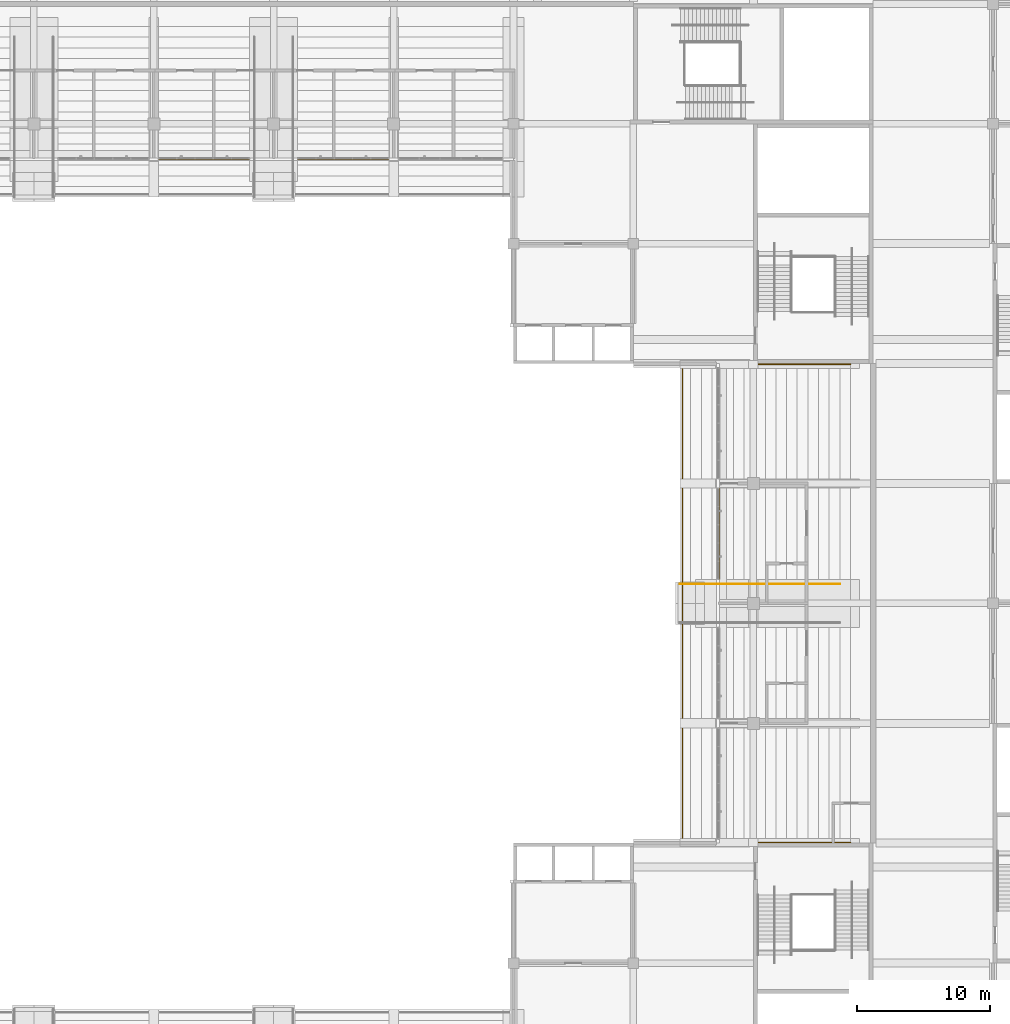
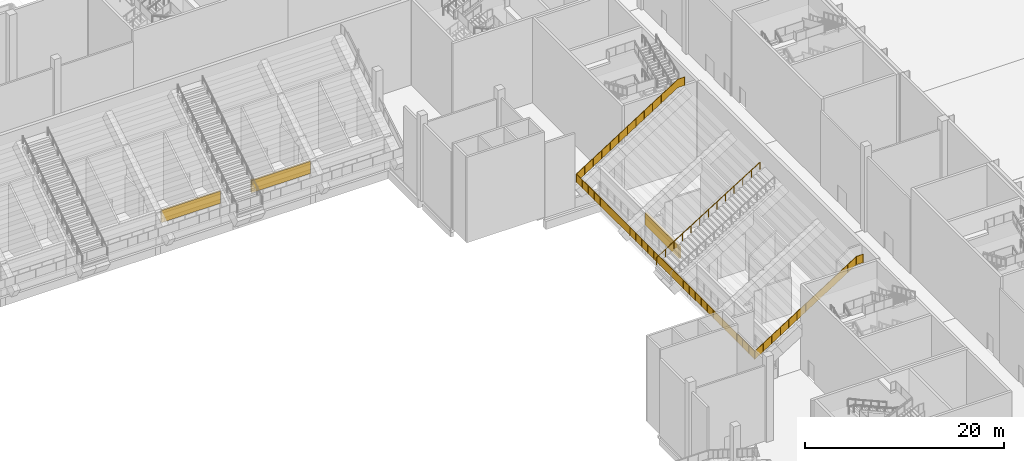
# One storey, part 163 of 182: 3 coverings, 2 railings.
"""IFC4 building model written with IfcOpenShell, lengths in metres."""

from ifc_helpers import new_model, si_unit, direction, frame, origin, origin_2d, place, context, subcontext, project, spatial, polyline, circle, outline, extrude, material, layer, layer_set, type_object, element, save


model = new_model("IFC4")

# Units and contexts
model_context = context("Model", 3, precision=1e-05, world=origin(), true_north=direction((0.0, 1.0)))
body_context = subcontext(model_context, "Body", "Model", "MODEL_VIEW")
ifc_project = project(units=[si_unit("LENGTHUNIT", "METRE"), si_unit("AREAUNIT", "SQUARE_METRE"), si_unit("VOLUMEUNIT", "CUBIC_METRE"), si_unit("PLANEANGLEUNIT", "RADIAN"), si_unit("MASSUNIT", "GRAM", prefix="KILO")], contexts=[model_context])

# Site, building, storey
site_placement = place(None, origin())
site = spatial("IfcSite", under=ifc_project, at=site_placement, CompositionType="ELEMENT")
building_placement = place(site_placement, origin())
building = spatial("IfcBuilding", under=site, at=building_placement, Name="Silverbay Arena", CompositionType="ELEMENT")
storey_placement = place(building_placement, frame((0.0, 0.0, 11.5)))
storey = spatial("IfcBuildingStorey", under=building, at=storey_placement, Name="L02", CompositionType="ELEMENT", Elevation=11.5)

# Railings
ifc_material_1 = material(Name="Stainless steel", Category="steel")
railing_type_1 = type_object("IfcRailingType", Name="Crowd barrier 1100", PredefinedType="GUARDRAIL", material=ifc_material_1)
railing_1_placement = place(storey_placement, frame((187.300048828125, 63.050048828125, 10.5)))
element("IfcRailing", 1, at=railing_1_placement, inside=storey, type_object=railing_type_1, Name="Crowd barrier East stand upper tier", PredefinedType="GUARDRAIL", context=body_context, shape_type="SweptSolid", body=[
    extrude(circle(Radius=0.02392578125, at=origin_2d()), frame((0.0, 0.0, 1.076171875), z_axis=(-1.0, 0.0, 0.0), x_axis=(0.0, -1.0, 0.0)), (0.0, 0.0, 1.0), 0.800048828125),
    extrude(outline(polyline([(-0.008056640625, 0.050048828125), (0.80810546875, 0.050048828125), (0.80810546875, 1.052978515625), (-0.008056640625, 1.052978515625), (-0.008056640625, 0.050048828125)])), frame((0.0, -0.0029296875, 0.0), z_axis=(0.0, 1.0, 0.0), x_axis=(-1.0, 0.0, 0.0)), (0.0, 0.0, 1.0), 0.006103515625),
    extrude(circle(Radius=0.02392578125, at=origin_2d()), frame((-0.800048828125, 0.0, 1.076171875), z_axis=(-0.843956866706, 0.0, -0.536411043081), x_axis=(0.0, -1.0, 0.0)), (0.0, 0.0, 1.0), 13.98193359375),
    extrude(outline(polyline([(-0.008056640625, 0.05517578125), (0.991455078125, -0.580078125), (0.991455078125, 0.4228515625), (-0.008056640625, 1.05810546875), (-0.008056640625, 0.05517578125)])), frame((-0.800048828125, -0.0029296875, 0.0), z_axis=(0.0, 1.0, 0.0), x_axis=(-1.0, 0.0, 0.0)), (0.0, 0.0, 1.0), 0.006103515625),
    extrude(outline(polyline([(-0.008056640625, -0.56982421875), (0.991455078125, -1.205078125), (0.991455078125, -0.2021484375), (-0.008056640625, 0.43310546875), (-0.008056640625, -0.56982421875)])), frame((-1.783447265625, -0.0029296875, 0.0), z_axis=(0.0, 1.0, 0.0), x_axis=(-1.0, 0.0, 0.0)), (0.0, 0.0, 1.0), 0.006103515625),
    extrude(outline(polyline([(-0.008056640625, -1.19482421875), (0.991455078125, -1.830078125), (0.991455078125, -0.8271484375), (-0.008056640625, -0.19189453125), (-0.008056640625, -1.19482421875)])), frame((-2.7666015625, -0.0029296875, 0.0), z_axis=(0.0, 1.0, 0.0), x_axis=(-1.0, 0.0, 0.0)), (0.0, 0.0, 1.0), 0.006103515625),
    extrude(outline(polyline([(-0.008056640625, -1.81982421875), (0.991455078125, -2.455078125), (0.991455078125, -1.4521484375), (-0.008056640625, -0.81689453125), (-0.008056640625, -1.81982421875)])), frame((-3.75, -0.0029296875, 0.0), z_axis=(0.0, 1.0, 0.0), x_axis=(-1.0, 0.0, 0.0)), (0.0, 0.0, 1.0), 0.006103515625),
    extrude(outline(polyline([(-0.008056640625, -2.44482421875), (0.991455078125, -3.080078125), (0.991455078125, -2.0771484375), (-0.008056640625, -1.44189453125), (-0.008056640625, -2.44482421875)])), frame((-4.7333984375, -0.0029296875, 0.0), z_axis=(0.0, 1.0, 0.0), x_axis=(-1.0, 0.0, 0.0)), (0.0, 0.0, 1.0), 0.006103515625),
    extrude(outline(polyline([(-0.008056640625, -3.06982421875), (0.991455078125, -3.705078125), (0.991455078125, -2.7021484375), (-0.008056640625, -2.06689453125), (-0.008056640625, -3.06982421875)])), frame((-5.716796875, -0.0029296875, 0.0), z_axis=(0.0, 1.0, 0.0), x_axis=(-1.0, 0.0, 0.0)), (0.0, 0.0, 1.0), 0.006103515625),
    extrude(outline(polyline([(-0.008056640625, -3.69482421875), (0.991455078125, -4.330078125), (0.991455078125, -3.3271484375), (-0.008056640625, -2.69189453125), (-0.008056640625, -3.69482421875)])), frame((-6.7001953125, -0.0029296875, 0.0), z_axis=(0.0, 1.0, 0.0), x_axis=(-1.0, 0.0, 0.0)), (0.0, 0.0, 1.0), 0.006103515625),
    extrude(outline(polyline([(-0.008056640625, -4.31982421875), (0.991455078125, -4.955078125), (0.991455078125, -3.9521484375), (-0.008056640625, -3.31689453125), (-0.008056640625, -4.31982421875)])), frame((-7.683349609375, -0.0029296875, 0.0), z_axis=(0.0, 1.0, 0.0), x_axis=(-1.0, 0.0, 0.0)), (0.0, 0.0, 1.0), 0.006103515625),
    extrude(outline(polyline([(-0.008056640625, -4.94482421875), (0.991455078125, -5.580078125), (0.991455078125, -4.5771484375), (-0.008056640625, -3.94189453125), (-0.008056640625, -4.94482421875)])), frame((-8.666748046875, -0.0029296875, 0.0), z_axis=(0.0, 1.0, 0.0), x_axis=(-1.0, 0.0, 0.0)), (0.0, 0.0, 1.0), 0.006103515625),
    extrude(outline(polyline([(-0.008056640625, -5.56982421875), (0.991455078125, -6.205078125), (0.991455078125, -5.2021484375), (-0.008056640625, -4.56689453125), (-0.008056640625, -5.56982421875)])), frame((-9.650146484375, -0.0029296875, 0.0), z_axis=(0.0, 1.0, 0.0), x_axis=(-1.0, 0.0, 0.0)), (0.0, 0.0, 1.0), 0.006103515625),
    extrude(outline(polyline([(-0.008056640625, -6.19482421875), (0.991455078125, -6.830078125), (0.991455078125, -5.8271484375), (-0.008056640625, -5.19189453125), (-0.008056640625, -6.19482421875)])), frame((-10.63330078125, -0.0029296875, 0.0), z_axis=(0.0, 1.0, 0.0), x_axis=(-1.0, 0.0, 0.0)), (0.0, 0.0, 1.0), 0.006103515625),
    extrude(outline(polyline([(-0.008056640625, -6.81982421875), (0.991455078125, -7.455078125), (0.991455078125, -6.4521484375), (-0.008056640625, -5.81689453125), (-0.008056640625, -6.81982421875)])), frame((-11.61669921875, -0.0029296875, 0.0), z_axis=(0.0, 1.0, 0.0), x_axis=(-1.0, 0.0, 0.0)), (0.0, 0.0, 1.0), 0.006103515625),
    extrude(circle(Radius=0.02392578125, at=origin_2d()), frame((-12.60009765625, 0.0, -6.423828125), z_axis=(0.0, 1.0, 0.0), x_axis=(-1.0, 0.0, 0.0)), (0.0, 0.0, 1.0), 35.89990234375),
    extrude(outline(polyline([(-0.008056640625, -7.449951171875), (1.20458984375, -7.449951171875), (1.20458984375, -6.447021484375), (-0.008056640625, -6.447021484375), (-0.008056640625, -7.449951171875)])), frame((-12.60302734375, 0.0, 0.0), z_axis=(1.0, 0.0, 0.0), x_axis=(0.0, 1.0, 0.0)), (0.0, 0.0, 1.0), 0.006103515625),
    extrude(outline(polyline([(-0.008056640625, -7.449951171875), (1.20458984375, -7.449951171875), (1.20458984375, -6.447021484375), (-0.008056640625, -6.447021484375), (-0.008056640625, -7.449951171875)])), frame((-12.60302734375, 1.19677734375, 0.0), z_axis=(1.0, 0.0, 0.0), x_axis=(0.0, 1.0, 0.0)), (0.0, 0.0, 1.0), 0.006103515625),
    extrude(outline(polyline([(-0.008056640625, -7.449951171875), (1.20458984375, -7.449951171875), (1.20458984375, -6.447021484375), (-0.008056640625, -6.447021484375), (-0.008056640625, -7.449951171875)])), frame((-12.60302734375, 2.393310546875, 0.0), z_axis=(1.0, 0.0, 0.0), x_axis=(0.0, 1.0, 0.0)), (0.0, 0.0, 1.0), 0.006103515625),
    extrude(outline(polyline([(-0.008056640625, -7.449951171875), (1.20458984375, -7.449951171875), (1.20458984375, -6.447021484375), (-0.008056640625, -6.447021484375), (-0.008056640625, -7.449951171875)])), frame((-12.60302734375, 3.590087890625, 0.0), z_axis=(1.0, 0.0, 0.0), x_axis=(0.0, 1.0, 0.0)), (0.0, 0.0, 1.0), 0.006103515625),
    extrude(outline(polyline([(-0.008056640625, -7.449951171875), (1.20458984375, -7.449951171875), (1.20458984375, -6.447021484375), (-0.008056640625, -6.447021484375), (-0.008056640625, -7.449951171875)])), frame((-12.60302734375, 4.78662109375, 0.0), z_axis=(1.0, 0.0, 0.0), x_axis=(0.0, 1.0, 0.0)), (0.0, 0.0, 1.0), 0.006103515625),
    extrude(outline(polyline([(-0.008056640625, -7.449951171875), (1.20458984375, -7.449951171875), (1.20458984375, -6.447021484375), (-0.008056640625, -6.447021484375), (-0.008056640625, -7.449951171875)])), frame((-12.60302734375, 5.9833984375, 0.0), z_axis=(1.0, 0.0, 0.0), x_axis=(0.0, 1.0, 0.0)), (0.0, 0.0, 1.0), 0.006103515625),
    extrude(outline(polyline([(-0.008056640625, -7.449951171875), (1.20458984375, -7.449951171875), (1.20458984375, -6.447021484375), (-0.008056640625, -6.447021484375), (-0.008056640625, -7.449951171875)])), frame((-12.60302734375, 7.179931640625, 0.0), z_axis=(1.0, 0.0, 0.0), x_axis=(0.0, 1.0, 0.0)), (0.0, 0.0, 1.0), 0.006103515625),
    extrude(outline(polyline([(-0.008056640625, -7.449951171875), (1.20458984375, -7.449951171875), (1.20458984375, -6.447021484375), (-0.008056640625, -6.447021484375), (-0.008056640625, -7.449951171875)])), frame((-12.60302734375, 8.376708984375, 0.0), z_axis=(1.0, 0.0, 0.0), x_axis=(0.0, 1.0, 0.0)), (0.0, 0.0, 1.0), 0.006103515625),
    extrude(outline(polyline([(-0.008056640625, -7.449951171875), (1.20458984375, -7.449951171875), (1.20458984375, -6.447021484375), (-0.008056640625, -6.447021484375), (-0.008056640625, -7.449951171875)])), frame((-12.60302734375, 9.5732421875, 0.0), z_axis=(1.0, 0.0, 0.0), x_axis=(0.0, 1.0, 0.0)), (0.0, 0.0, 1.0), 0.006103515625),
    extrude(outline(polyline([(-0.008056640625, -7.449951171875), (1.20458984375, -7.449951171875), (1.20458984375, -6.447021484375), (-0.008056640625, -6.447021484375), (-0.008056640625, -7.449951171875)])), frame((-12.60302734375, 10.77001953125, 0.0), z_axis=(1.0, 0.0, 0.0), x_axis=(0.0, 1.0, 0.0)), (0.0, 0.0, 1.0), 0.006103515625),
    extrude(outline(polyline([(-0.008056640625, -7.449951171875), (1.20458984375, -7.449951171875), (1.20458984375, -6.447021484375), (-0.008056640625, -6.447021484375), (-0.008056640625, -7.449951171875)])), frame((-12.60302734375, 11.966552734375, 0.0), z_axis=(1.0, 0.0, 0.0), x_axis=(0.0, 1.0, 0.0)), (0.0, 0.0, 1.0), 0.006103515625),
    extrude(outline(polyline([(-0.008056640625, -7.449951171875), (1.20458984375, -7.449951171875), (1.20458984375, -6.447021484375), (-0.008056640625, -6.447021484375), (-0.008056640625, -7.449951171875)])), frame((-12.60302734375, 13.163330078125, 0.0), z_axis=(1.0, 0.0, 0.0), x_axis=(0.0, 1.0, 0.0)), (0.0, 0.0, 1.0), 0.006103515625),
    extrude(outline(polyline([(-0.008056640625, -7.449951171875), (1.20458984375, -7.449951171875), (1.20458984375, -6.447021484375), (-0.008056640625, -6.447021484375), (-0.008056640625, -7.449951171875)])), frame((-12.60302734375, 14.35986328125, 0.0), z_axis=(1.0, 0.0, 0.0), x_axis=(0.0, 1.0, 0.0)), (0.0, 0.0, 1.0), 0.006103515625),
    extrude(outline(polyline([(-0.008056640625, -7.449951171875), (1.20458984375, -7.449951171875), (1.20458984375, -6.447021484375), (-0.008056640625, -6.447021484375), (-0.008056640625, -7.449951171875)])), frame((-12.60302734375, 15.556640625, 0.0), z_axis=(1.0, 0.0, 0.0), x_axis=(0.0, 1.0, 0.0)), (0.0, 0.0, 1.0), 0.006103515625),
    extrude(outline(polyline([(-0.008056640625, -7.449951171875), (1.20458984375, -7.449951171875), (1.20458984375, -6.447021484375), (-0.008056640625, -6.447021484375), (-0.008056640625, -7.449951171875)])), frame((-12.60302734375, 16.753173828125, 0.0), z_axis=(1.0, 0.0, 0.0), x_axis=(0.0, 1.0, 0.0)), (0.0, 0.0, 1.0), 0.006103515625),
    extrude(outline(polyline([(-0.008056640625, -7.449951171875), (1.20458984375, -7.449951171875), (1.20458984375, -6.447021484375), (-0.008056640625, -6.447021484375), (-0.008056640625, -7.449951171875)])), frame((-12.60302734375, 17.949951171875, 0.0), z_axis=(1.0, 0.0, 0.0), x_axis=(0.0, 1.0, 0.0)), (0.0, 0.0, 1.0), 0.006103515625),
    extrude(outline(polyline([(-0.008056640625, -7.449951171875), (1.20458984375, -7.449951171875), (1.20458984375, -6.447021484375), (-0.008056640625, -6.447021484375), (-0.008056640625, -7.449951171875)])), frame((-12.60302734375, 19.146728515625, 0.0), z_axis=(1.0, 0.0, 0.0), x_axis=(0.0, 1.0, 0.0)), (0.0, 0.0, 1.0), 0.006103515625),
    extrude(outline(polyline([(-0.008056640625, -7.449951171875), (1.20458984375, -7.449951171875), (1.20458984375, -6.447021484375), (-0.008056640625, -6.447021484375), (-0.008056640625, -7.449951171875)])), frame((-12.60302734375, 20.34326171875, 0.0), z_axis=(1.0, 0.0, 0.0), x_axis=(0.0, 1.0, 0.0)), (0.0, 0.0, 1.0), 0.006103515625),
    extrude(outline(polyline([(-0.008056640625, -7.449951171875), (1.20458984375, -7.449951171875), (1.20458984375, -6.447021484375), (-0.008056640625, -6.447021484375), (-0.008056640625, -7.449951171875)])), frame((-12.60302734375, 21.5400390625, 0.0), z_axis=(1.0, 0.0, 0.0), x_axis=(0.0, 1.0, 0.0)), (0.0, 0.0, 1.0), 0.006103515625),
    extrude(outline(polyline([(-0.008056640625, -7.449951171875), (1.20458984375, -7.449951171875), (1.20458984375, -6.447021484375), (-0.008056640625, -6.447021484375), (-0.008056640625, -7.449951171875)])), frame((-12.60302734375, 22.736572265625, 0.0), z_axis=(1.0, 0.0, 0.0), x_axis=(0.0, 1.0, 0.0)), (0.0, 0.0, 1.0), 0.006103515625),
    extrude(outline(polyline([(-0.008056640625, -7.449951171875), (1.20458984375, -7.449951171875), (1.20458984375, -6.447021484375), (-0.008056640625, -6.447021484375), (-0.008056640625, -7.449951171875)])), frame((-12.60302734375, 23.933349609375, 0.0), z_axis=(1.0, 0.0, 0.0), x_axis=(0.0, 1.0, 0.0)), (0.0, 0.0, 1.0), 0.006103515625),
    extrude(outline(polyline([(-0.008056640625, -7.449951171875), (1.20458984375, -7.449951171875), (1.20458984375, -6.447021484375), (-0.008056640625, -6.447021484375), (-0.008056640625, -7.449951171875)])), frame((-12.60302734375, 25.1298828125, 0.0), z_axis=(1.0, 0.0, 0.0), x_axis=(0.0, 1.0, 0.0)), (0.0, 0.0, 1.0), 0.006103515625),
    extrude(outline(polyline([(-0.008056640625, -7.449951171875), (1.20458984375, -7.449951171875), (1.20458984375, -6.447021484375), (-0.008056640625, -6.447021484375), (-0.008056640625, -7.449951171875)])), frame((-12.60302734375, 26.32666015625, 0.0), z_axis=(1.0, 0.0, 0.0), x_axis=(0.0, 1.0, 0.0)), (0.0, 0.0, 1.0), 0.006103515625),
    extrude(outline(polyline([(-0.008056640625, -7.449951171875), (1.20458984375, -7.449951171875), (1.20458984375, -6.447021484375), (-0.008056640625, -6.447021484375), (-0.008056640625, -7.449951171875)])), frame((-12.60302734375, 27.523193359375, 0.0), z_axis=(1.0, 0.0, 0.0), x_axis=(0.0, 1.0, 0.0)), (0.0, 0.0, 1.0), 0.006103515625),
    extrude(outline(polyline([(-0.008056640625, -7.449951171875), (1.20458984375, -7.449951171875), (1.20458984375, -6.447021484375), (-0.008056640625, -6.447021484375), (-0.008056640625, -7.449951171875)])), frame((-12.60302734375, 28.719970703125, 0.0), z_axis=(1.0, 0.0, 0.0), x_axis=(0.0, 1.0, 0.0)), (0.0, 0.0, 1.0), 0.006103515625),
    extrude(outline(polyline([(-0.008056640625, -7.449951171875), (1.20458984375, -7.449951171875), (1.20458984375, -6.447021484375), (-0.008056640625, -6.447021484375), (-0.008056640625, -7.449951171875)])), frame((-12.60302734375, 29.91650390625, 0.0), z_axis=(1.0, 0.0, 0.0), x_axis=(0.0, 1.0, 0.0)), (0.0, 0.0, 1.0), 0.006103515625),
    extrude(outline(polyline([(-0.008056640625, -7.449951171875), (1.20458984375, -7.449951171875), (1.20458984375, -6.447021484375), (-0.008056640625, -6.447021484375), (-0.008056640625, -7.449951171875)])), frame((-12.60302734375, 31.11328125, 0.0), z_axis=(1.0, 0.0, 0.0), x_axis=(0.0, 1.0, 0.0)), (0.0, 0.0, 1.0), 0.006103515625),
    extrude(outline(polyline([(-0.008056640625, -7.449951171875), (1.20458984375, -7.449951171875), (1.20458984375, -6.447021484375), (-0.008056640625, -6.447021484375), (-0.008056640625, -7.449951171875)])), frame((-12.60302734375, 32.309814453125, 0.0), z_axis=(1.0, 0.0, 0.0), x_axis=(0.0, 1.0, 0.0)), (0.0, 0.0, 1.0), 0.006103515625),
    extrude(outline(polyline([(-0.008056640625, -7.449951171875), (1.20458984375, -7.449951171875), (1.20458984375, -6.447021484375), (-0.008056640625, -6.447021484375), (-0.008056640625, -7.449951171875)])), frame((-12.60302734375, 33.506591796875, 0.0), z_axis=(1.0, 0.0, 0.0), x_axis=(0.0, 1.0, 0.0)), (0.0, 0.0, 1.0), 0.006103515625),
    extrude(outline(polyline([(-0.008056640625, -7.449951171875), (1.20458984375, -7.449951171875), (1.20458984375, -6.447021484375), (-0.008056640625, -6.447021484375), (-0.008056640625, -7.449951171875)])), frame((-12.60302734375, 34.703125, 0.0), z_axis=(1.0, 0.0, 0.0), x_axis=(0.0, 1.0, 0.0)), (0.0, 0.0, 1.0), 0.006103515625),
    extrude(circle(Radius=0.02392578125, at=origin_2d()), frame((-12.60009765625, 35.89990234375, -6.423828125), z_axis=(0.843956866706, 0.0, 0.536411043081), x_axis=(0.0, 1.0, 0.0)), (0.0, 0.0, 1.0), 13.98193359375),
    extrude(outline(polyline([(-0.008056640625, -7.455078125), (0.991455078125, -6.81982421875), (0.991455078125, -5.81689453125), (-0.008056640625, -6.4521484375), (-0.008056640625, -7.455078125)])), frame((-12.60009765625, 35.90283203125, 0.0), z_axis=(0.0, -1.0, 0.0), x_axis=(1.0, 0.0, 0.0)), (0.0, 0.0, 1.0), 0.006103515625),
    extrude(outline(polyline([(-0.008056640625, -6.830078125), (0.991455078125, -6.19482421875), (0.991455078125, -5.19189453125), (-0.008056640625, -5.8271484375), (-0.008056640625, -6.830078125)])), frame((-11.61669921875, 35.90283203125, 0.0), z_axis=(0.0, -1.0, 0.0), x_axis=(1.0, 0.0, 0.0)), (0.0, 0.0, 1.0), 0.006103515625),
    extrude(outline(polyline([(-0.008056640625, -6.205078125), (0.991455078125, -5.56982421875), (0.991455078125, -4.56689453125), (-0.008056640625, -5.2021484375), (-0.008056640625, -6.205078125)])), frame((-10.63330078125, 35.90283203125, 0.0), z_axis=(0.0, -1.0, 0.0), x_axis=(1.0, 0.0, 0.0)), (0.0, 0.0, 1.0), 0.006103515625),
    extrude(outline(polyline([(-0.008056640625, -5.580078125), (0.991455078125, -4.94482421875), (0.991455078125, -3.94189453125), (-0.008056640625, -4.5771484375), (-0.008056640625, -5.580078125)])), frame((-9.650146484375, 35.90283203125, 0.0), z_axis=(0.0, -1.0, 0.0), x_axis=(1.0, 0.0, 0.0)), (0.0, 0.0, 1.0), 0.006103515625),
    extrude(outline(polyline([(-0.008056640625, -4.955078125), (0.991455078125, -4.31982421875), (0.991455078125, -3.31689453125), (-0.008056640625, -3.9521484375), (-0.008056640625, -4.955078125)])), frame((-8.666748046875, 35.90283203125, 0.0), z_axis=(0.0, -1.0, 0.0), x_axis=(1.0, 0.0, 0.0)), (0.0, 0.0, 1.0), 0.006103515625),
    extrude(outline(polyline([(-0.008056640625, -4.330078125), (0.991455078125, -3.69482421875), (0.991455078125, -2.69189453125), (-0.008056640625, -3.3271484375), (-0.008056640625, -4.330078125)])), frame((-7.683349609375, 35.90283203125, 0.0), z_axis=(0.0, -1.0, 0.0), x_axis=(1.0, 0.0, 0.0)), (0.0, 0.0, 1.0), 0.006103515625),
    extrude(outline(polyline([(-0.008056640625, -3.705078125), (0.991455078125, -3.06982421875), (0.991455078125, -2.06689453125), (-0.008056640625, -2.7021484375), (-0.008056640625, -3.705078125)])), frame((-6.7001953125, 35.90283203125, 0.0), z_axis=(0.0, -1.0, 0.0), x_axis=(1.0, 0.0, 0.0)), (0.0, 0.0, 1.0), 0.006103515625),
    extrude(outline(polyline([(-0.008056640625, -3.080078125), (0.991455078125, -2.44482421875), (0.991455078125, -1.44189453125), (-0.008056640625, -2.0771484375), (-0.008056640625, -3.080078125)])), frame((-5.716796875, 35.90283203125, 0.0), z_axis=(0.0, -1.0, 0.0), x_axis=(1.0, 0.0, 0.0)), (0.0, 0.0, 1.0), 0.006103515625),
    extrude(outline(polyline([(-0.008056640625, -2.455078125), (0.991455078125, -1.81982421875), (0.991455078125, -0.81689453125), (-0.008056640625, -1.4521484375), (-0.008056640625, -2.455078125)])), frame((-4.7333984375, 35.90283203125, 0.0), z_axis=(0.0, -1.0, 0.0), x_axis=(1.0, 0.0, 0.0)), (0.0, 0.0, 1.0), 0.006103515625),
    extrude(outline(polyline([(-0.008056640625, -1.830078125), (0.991455078125, -1.19482421875), (0.991455078125, -0.19189453125), (-0.008056640625, -0.8271484375), (-0.008056640625, -1.830078125)])), frame((-3.75, 35.90283203125, 0.0), z_axis=(0.0, -1.0, 0.0), x_axis=(1.0, 0.0, 0.0)), (0.0, 0.0, 1.0), 0.006103515625),
    extrude(outline(polyline([(-0.008056640625, -1.205078125), (0.991455078125, -0.56982421875), (0.991455078125, 0.43310546875), (-0.008056640625, -0.2021484375), (-0.008056640625, -1.205078125)])), frame((-2.7666015625, 35.90283203125, 0.0), z_axis=(0.0, -1.0, 0.0), x_axis=(1.0, 0.0, 0.0)), (0.0, 0.0, 1.0), 0.006103515625),
    extrude(outline(polyline([(-0.008056640625, -0.580078125), (0.991455078125, 0.05517578125), (0.991455078125, 1.05810546875), (-0.008056640625, 0.4228515625), (-0.008056640625, -0.580078125)])), frame((-1.783447265625, 35.90283203125, 0.0), z_axis=(0.0, -1.0, 0.0), x_axis=(1.0, 0.0, 0.0)), (0.0, 0.0, 1.0), 0.006103515625),
    extrude(circle(Radius=0.02392578125, at=origin_2d()), frame((-0.800048828125, 35.89990234375, 1.076171875), z_axis=(1.0, 0.0, 0.0), x_axis=(0.0, 1.0, 0.0)), (0.0, 0.0, 1.0), 0.800048828125),
    extrude(outline(polyline([(-0.008056640625, 0.050048828125), (0.80810546875, 0.050048828125), (0.80810546875, 1.052978515625), (-0.008056640625, 1.052978515625), (-0.008056640625, 0.050048828125)])), frame((-0.800048828125, 35.90283203125, 0.0), z_axis=(0.0, -1.0, 0.0), x_axis=(1.0, 0.0, 0.0)), (0.0, 0.0, 1.0), 0.006103515625),
    extrude(circle(Radius=0.02099609375, at=origin_2d()), origin(), (0.0, 0.0, 1.0), 1.052001953125),
    extrude(circle(Radius=0.02099609375, at=origin_2d()), frame((-0.800048828125, 0.0, 0.0)), (0.0, 0.0, 1.0), 1.052001953125),
    extrude(circle(Radius=0.02099609375, at=origin_2d()), frame((-1.783447265625, 0.0, -0.625)), (0.0, 0.0, 1.0), 1.052001953125),
    extrude(circle(Radius=0.02099609375, at=origin_2d()), frame((-2.7666015625, 0.0, -1.25)), (0.0, 0.0, 1.0), 1.052001953125),
    extrude(circle(Radius=0.02099609375, at=origin_2d()), frame((-3.75, 0.0, -1.875)), (0.0, 0.0, 1.0), 1.052001953125),
    extrude(circle(Radius=0.02099609375, at=origin_2d()), frame((-4.7333984375, 0.0, -2.5)), (0.0, 0.0, 1.0), 1.052001953125),
    extrude(circle(Radius=0.02099609375, at=origin_2d()), frame((-5.716796875, 0.0, -3.125)), (0.0, 0.0, 1.0), 1.052001953125),
    extrude(circle(Radius=0.02099609375, at=origin_2d()), frame((-6.7001953125, 0.0, -3.75)), (0.0, 0.0, 1.0), 1.052001953125),
    extrude(circle(Radius=0.02099609375, at=origin_2d()), frame((-7.683349609375, 0.0, -4.375)), (0.0, 0.0, 1.0), 1.052001953125),
    extrude(circle(Radius=0.02099609375, at=origin_2d()), frame((-8.666748046875, 0.0, -5.0)), (0.0, 0.0, 1.0), 1.052001953125),
    extrude(circle(Radius=0.02099609375, at=origin_2d()), frame((-9.650146484375, 0.0, -5.625)), (0.0, 0.0, 1.0), 1.052001953125),
    extrude(circle(Radius=0.02099609375, at=origin_2d()), frame((-10.63330078125, 0.0, -6.25)), (0.0, 0.0, 1.0), 1.052001953125),
    extrude(circle(Radius=0.02099609375, at=origin_2d()), frame((-11.61669921875, 0.0, -6.875)), (0.0, 0.0, 1.0), 1.052001953125),
    extrude(circle(Radius=0.02099609375, at=origin_2d()), frame((-12.60009765625, 0.0, -7.5)), (0.0, 0.0, 1.0), 1.052001953125),
    extrude(circle(Radius=0.02099609375, at=origin_2d()), frame((-12.60009765625, 1.19677734375, -7.5)), (0.0, 0.0, 1.0), 1.052001953125),
    extrude(circle(Radius=0.02099609375, at=origin_2d()), frame((-12.60009765625, 2.393310546875, -7.5)), (0.0, 0.0, 1.0), 1.052001953125),
    extrude(circle(Radius=0.02099609375, at=origin_2d()), frame((-12.60009765625, 3.590087890625, -7.5)), (0.0, 0.0, 1.0), 1.052001953125),
    extrude(circle(Radius=0.02099609375, at=origin_2d()), frame((-12.60009765625, 4.78662109375, -7.5)), (0.0, 0.0, 1.0), 1.052001953125),
    extrude(circle(Radius=0.02099609375, at=origin_2d()), frame((-12.60009765625, 5.9833984375, -7.5)), (0.0, 0.0, 1.0), 1.052001953125),
    extrude(circle(Radius=0.02099609375, at=origin_2d()), frame((-12.60009765625, 7.179931640625, -7.5)), (0.0, 0.0, 1.0), 1.052001953125),
    extrude(circle(Radius=0.02099609375, at=origin_2d()), frame((-12.60009765625, 8.376708984375, -7.5)), (0.0, 0.0, 1.0), 1.052001953125),
    extrude(circle(Radius=0.02099609375, at=origin_2d()), frame((-12.60009765625, 9.5732421875, -7.5)), (0.0, 0.0, 1.0), 1.052001953125),
    extrude(circle(Radius=0.02099609375, at=origin_2d()), frame((-12.60009765625, 10.77001953125, -7.5)), (0.0, 0.0, 1.0), 1.052001953125),
    extrude(circle(Radius=0.02099609375, at=origin_2d()), frame((-12.60009765625, 11.966552734375, -7.5)), (0.0, 0.0, 1.0), 1.052001953125),
    extrude(circle(Radius=0.02099609375, at=origin_2d()), frame((-12.60009765625, 13.163330078125, -7.5)), (0.0, 0.0, 1.0), 1.052001953125),
    extrude(circle(Radius=0.02099609375, at=origin_2d()), frame((-12.60009765625, 14.35986328125, -7.5)), (0.0, 0.0, 1.0), 1.052001953125),
    extrude(circle(Radius=0.02099609375, at=origin_2d()), frame((-12.60009765625, 15.556640625, -7.5)), (0.0, 0.0, 1.0), 1.052001953125),
    extrude(circle(Radius=0.02099609375, at=origin_2d()), frame((-12.60009765625, 16.753173828125, -7.5)), (0.0, 0.0, 1.0), 1.052001953125),
    extrude(circle(Radius=0.02099609375, at=origin_2d()), frame((-12.60009765625, 17.949951171875, -7.5)), (0.0, 0.0, 1.0), 1.052001953125),
    extrude(circle(Radius=0.02099609375, at=origin_2d()), frame((-12.60009765625, 19.146728515625, -7.5)), (0.0, 0.0, 1.0), 1.052001953125),
    extrude(circle(Radius=0.02099609375, at=origin_2d()), frame((-12.60009765625, 20.34326171875, -7.5)), (0.0, 0.0, 1.0), 1.052001953125),
    extrude(circle(Radius=0.02099609375, at=origin_2d()), frame((-12.60009765625, 21.5400390625, -7.5)), (0.0, 0.0, 1.0), 1.052001953125),
    extrude(circle(Radius=0.02099609375, at=origin_2d()), frame((-12.60009765625, 22.736572265625, -7.5)), (0.0, 0.0, 1.0), 1.052001953125),
    extrude(circle(Radius=0.02099609375, at=origin_2d()), frame((-12.60009765625, 23.933349609375, -7.5)), (0.0, 0.0, 1.0), 1.052001953125),
    extrude(circle(Radius=0.02099609375, at=origin_2d()), frame((-12.60009765625, 25.1298828125, -7.5)), (0.0, 0.0, 1.0), 1.052001953125),
    extrude(circle(Radius=0.02099609375, at=origin_2d()), frame((-12.60009765625, 26.32666015625, -7.5)), (0.0, 0.0, 1.0), 1.052001953125),
    extrude(circle(Radius=0.02099609375, at=origin_2d()), frame((-12.60009765625, 27.523193359375, -7.5)), (0.0, 0.0, 1.0), 1.052001953125),
    extrude(circle(Radius=0.02099609375, at=origin_2d()), frame((-12.60009765625, 28.719970703125, -7.5)), (0.0, 0.0, 1.0), 1.052001953125),
    extrude(circle(Radius=0.02099609375, at=origin_2d()), frame((-12.60009765625, 29.91650390625, -7.5)), (0.0, 0.0, 1.0), 1.052001953125),
    extrude(circle(Radius=0.02099609375, at=origin_2d()), frame((-12.60009765625, 31.11328125, -7.5)), (0.0, 0.0, 1.0), 1.052001953125),
    extrude(circle(Radius=0.02099609375, at=origin_2d()), frame((-12.60009765625, 32.309814453125, -7.5)), (0.0, 0.0, 1.0), 1.052001953125),
    extrude(circle(Radius=0.02099609375, at=origin_2d()), frame((-12.60009765625, 33.506591796875, -7.5)), (0.0, 0.0, 1.0), 1.052001953125),
    extrude(circle(Radius=0.02099609375, at=origin_2d()), frame((-12.60009765625, 34.703125, -7.5)), (0.0, 0.0, 1.0), 1.052001953125),
    extrude(circle(Radius=0.02099609375, at=origin_2d()), frame((-12.60009765625, 35.89990234375, -7.5)), (0.0, 0.0, 1.0), 1.052001953125),
    extrude(circle(Radius=0.02099609375, at=origin_2d()), frame((-11.61669921875, 35.89990234375, -6.875)), (0.0, 0.0, 1.0), 1.052001953125),
    extrude(circle(Radius=0.02099609375, at=origin_2d()), frame((-10.63330078125, 35.89990234375, -6.25)), (0.0, 0.0, 1.0), 1.052001953125),
    extrude(circle(Radius=0.02099609375, at=origin_2d()), frame((-9.650146484375, 35.89990234375, -5.625)), (0.0, 0.0, 1.0), 1.052001953125),
    extrude(circle(Radius=0.02099609375, at=origin_2d()), frame((-8.666748046875, 35.89990234375, -5.0)), (0.0, 0.0, 1.0), 1.052001953125),
    extrude(circle(Radius=0.02099609375, at=origin_2d()), frame((-7.683349609375, 35.89990234375, -4.375)), (0.0, 0.0, 1.0), 1.052001953125),
    extrude(circle(Radius=0.02099609375, at=origin_2d()), frame((-6.7001953125, 35.89990234375, -3.75)), (0.0, 0.0, 1.0), 1.052001953125),
    extrude(circle(Radius=0.02099609375, at=origin_2d()), frame((-5.716796875, 35.89990234375, -3.125)), (0.0, 0.0, 1.0), 1.052001953125),
    extrude(circle(Radius=0.02099609375, at=origin_2d()), frame((-4.7333984375, 35.89990234375, -2.5)), (0.0, 0.0, 1.0), 1.052001953125),
    extrude(circle(Radius=0.02099609375, at=origin_2d()), frame((-3.75, 35.89990234375, -1.875)), (0.0, 0.0, 1.0), 1.052001953125),
    extrude(circle(Radius=0.02099609375, at=origin_2d()), frame((-2.7666015625, 35.89990234375, -1.25)), (0.0, 0.0, 1.0), 1.052001953125),
    extrude(circle(Radius=0.02099609375, at=origin_2d()), frame((-1.783447265625, 35.89990234375, -0.625)), (0.0, 0.0, 1.0), 1.052001953125),
    extrude(circle(Radius=0.02099609375, at=origin_2d()), frame((-0.800048828125, 35.89990234375, 0.0)), (0.0, 0.0, 1.0), 1.052001953125),
    extrude(circle(Radius=0.02099609375, at=origin_2d()), frame((0.0, 35.89990234375, 0.0)), (0.0, 0.0, 1.0), 1.052001953125),
])
ifc_material_2 = material(Name="Stainless steel", Category="steel")
railing_type_2 = type_object("IfcRailingType", Name="Stair handrail 900", PredefinedType="HANDRAIL", material=ifc_material_2)
railing_2_placement = place(storey_placement, frame((174.5, 82.449951171875, 3.0)))
element("IfcRailing", 2, at=railing_2_placement, inside=storey, type_object=railing_type_2, Name="Vomitory stair V12 handrail right", PredefinedType="HANDRAIL", context=body_context, shape_type="SweptSolid", body=[
    extrude(circle(Radius=0.02392578125, at=origin_2d()), frame((0.0, 0.0, 0.8759765625), z_axis=(0.847998304005, 0.0, 0.529998940003), x_axis=(0.0, 1.0, 0.0)), (0.0, 0.0, 1.0), 14.15087890625),
    extrude(circle(Radius=0.02099609375, at=origin_2d()), origin(), (0.0, 0.0, 1.0), 0.851806640625),
    extrude(circle(Radius=0.02099609375, at=origin_2d()), frame((1.0, 0.0, 0.625)), (0.0, 0.0, 1.0), 0.851806640625),
    extrude(circle(Radius=0.02099609375, at=origin_2d()), frame((2.0, 0.0, 1.25)), (0.0, 0.0, 1.0), 0.851806640625),
    extrude(circle(Radius=0.02099609375, at=origin_2d()), frame((3.0, 0.0, 1.875)), (0.0, 0.0, 1.0), 0.851806640625),
    extrude(circle(Radius=0.02099609375, at=origin_2d()), frame((4.0, 0.0, 2.5)), (0.0, 0.0, 1.0), 0.851806640625),
    extrude(circle(Radius=0.02099609375, at=origin_2d()), frame((5.0, 0.0, 3.125)), (0.0, 0.0, 1.0), 0.851806640625),
    extrude(circle(Radius=0.02099609375, at=origin_2d()), frame((6.0, 0.0, 3.75)), (0.0, 0.0, 1.0), 0.851806640625),
    extrude(circle(Radius=0.02099609375, at=origin_2d()), frame((7.0, 0.0, 4.375)), (0.0, 0.0, 1.0), 0.851806640625),
    extrude(circle(Radius=0.02099609375, at=origin_2d()), frame((8.0, 0.0, 5.0)), (0.0, 0.0, 1.0), 0.851806640625),
    extrude(circle(Radius=0.02099609375, at=origin_2d()), frame((9.0, 0.0, 5.625)), (0.0, 0.0, 1.0), 0.851806640625),
    extrude(circle(Radius=0.02099609375, at=origin_2d()), frame((10.0, 0.0, 6.25)), (0.0, 0.0, 1.0), 0.851806640625),
    extrude(circle(Radius=0.02099609375, at=origin_2d()), frame((11.0, 0.0, 6.875)), (0.0, 0.0, 1.0), 0.851806640625),
    extrude(circle(Radius=0.02099609375, at=origin_2d()), frame((12.0, 0.0, 7.5)), (0.0, 0.0, 1.0), 0.851806640625),
])

# Coverings
ifc_material_3 = material(Name="Aluminium composite cladding", Category="aluminium")
ifc_layer = layer(ifc_material_3, 0.199951171875)
ifc_layer_set = layer_set([ifc_layer], Name="Aluminium composite cladding")
covering_type = type_object("IfcCoveringType", Name="Suite front fascia cladding 200", PredefinedType="CLADDING", material=ifc_layer_set)
covering_1_placement = place(storey_placement, frame((0.0, 0.0, 2.537109375)))
element("IfcCovering", 3, at=covering_1_placement, inside=storey, type_object=covering_type, Name="East suite front fascia 3", PredefinedType="CLADDING", context=body_context, shape_type="SweptSolid", body=[
    extrude(outline(polyline([(177.300048828125, 82.800048828125), (177.300048828125, 89.64990234375), (177.5, 89.64990234375), (177.5, 82.800048828125), (177.300048828125, 82.800048828125)])), origin(), (0.0, 0.0, 1.0), 1.496826171875),
])
covering_2_placement = place(storey_placement, frame((0.0, 0.0, 2.537109375)))
element("IfcCovering", 4, at=covering_2_placement, inside=storey, type_object=covering_type, Name="North suite front fascia 5", PredefinedType="CLADDING", context=body_context, shape_type="SweptSolid", body=[
    extrude(outline(polyline([(135.35009765625, 114.5), (142.199951171875, 114.5), (142.199951171875, 114.300048828125), (135.35009765625, 114.300048828125), (135.35009765625, 114.5)])), origin(), (0.0, 0.0, 1.0), 1.496826171875),
])
covering_3_placement = place(storey_placement, frame((0.0, 0.0, 2.537109375)))
element("IfcCovering", 5, at=covering_3_placement, inside=storey, type_object=covering_type, Name="North suite front fascia 6", PredefinedType="CLADDING", context=body_context, shape_type="SweptSolid", body=[
    extrude(outline(polyline([(145.800048828125, 114.5), (152.64990234375, 114.5), (152.64990234375, 114.300048828125), (145.800048828125, 114.300048828125), (145.800048828125, 114.5)])), origin(), (0.0, 0.0, 1.0), 1.496826171875),
])

save(model, "model.ifc")
